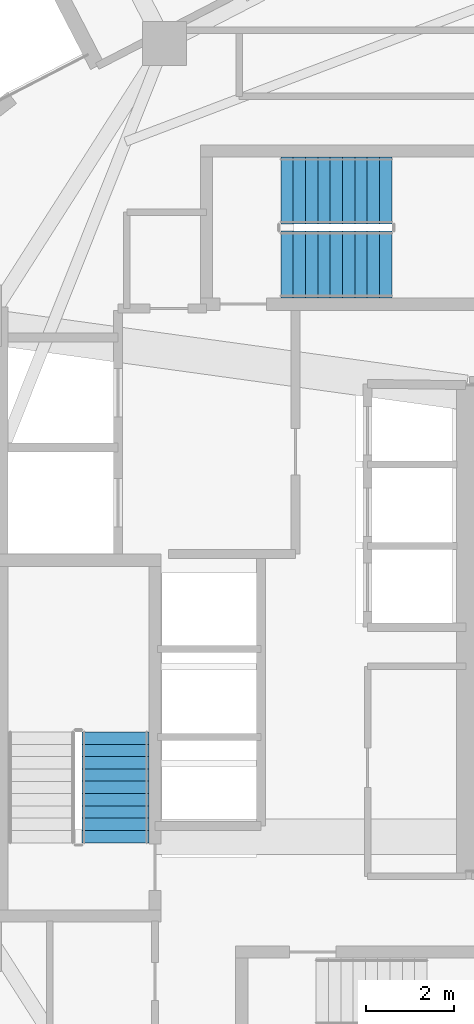
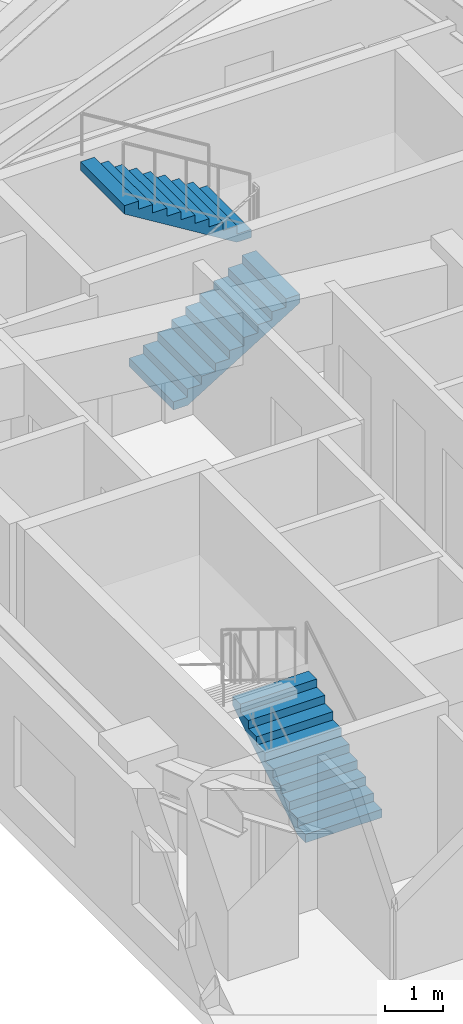
# One storey, part 10 of 11: 3 stair flights, 2 elements without a shape of their own.
"""IFC4 building model written with IfcOpenShell, lengths in metres."""

from ifc_helpers import new_model, si_unit, direction, frame, origin, place, context, subcontext, project, spatial, polyline, outline, extrude, material, type_object, element, aggregate, save


model = new_model("IFC4")

# Units and contexts
model_context = context("Model", 3, precision=1e-05, world=origin(), true_north=direction((0.0, 1.0)))
body_context = subcontext(model_context, "Body", "Model", "MODEL_VIEW")
ifc_project = project(units=[si_unit("LENGTHUNIT", "METRE"), si_unit("AREAUNIT", "SQUARE_METRE"), si_unit("VOLUMEUNIT", "CUBIC_METRE"), si_unit("PLANEANGLEUNIT", "RADIAN"), si_unit("MASSUNIT", "GRAM", prefix="KILO"), si_unit("THERMODYNAMICTEMPERATUREUNIT", "KELVIN"), si_unit("POWERUNIT", "WATT")], contexts=[model_context])

# Site, building, storey
site_placement = place(None, origin())
site = spatial("IfcSite", under=ifc_project, at=site_placement, CompositionType="ELEMENT")
building_placement = place(site_placement, origin())
building = spatial("IfcBuilding", under=site, at=building_placement, Name="Skarre Station Tower", CompositionType="ELEMENT")
storey_placement = place(building_placement, frame((0.0, 0.0, 146.39990234375)))
storey = spatial("IfcBuildingStorey", under=building, at=storey_placement, Name="L39", CompositionType="ELEMENT", Elevation=146.39990234375)

# Stair, stair flight
ifc_material = material(Name="Concrete C40/50", Category="concrete")
stair_type_1 = type_object("IfcStairType", Name="Reinforced Concrete Exit Stair ST-1", PredefinedType="HALF_TURN_STAIR", material=ifc_material)
stair_1_placement = place(storey_placement, origin())
stair_1 = element("IfcStair", 1, at=stair_1_placement, inside=storey, type_object=stair_type_1, Name="L39 Core Exit Stair ST-1", PredefinedType="HALF_TURN_STAIR")
stair_flight_type_1 = type_object("IfcStairFlightType", Name="Reinforced Concrete Stair Flight ST-1", PredefinedType="STRAIGHT", material=ifc_material)
stair_flight_1_placement = place(storey_placement, frame((19.590087890625, 19.1201171875, 0.0), z_axis=(0.0, 0.0, 1.0), x_axis=(0.0, 1.0, 0.0)))
stair_flight_1 = element("IfcStairFlight", 2, at=stair_flight_1_placement, type_object=stair_flight_type_1, Name="ST-1 flight 1", NumberOfRisers=10, NumberOfTreads=9, PredefinedType="STRAIGHT", RiserHeight=0.1725, TreadLength=0.28, context=body_context, shape_type="SweptSolid", body=[
    extrude(outline(polyline([(0.0, 0.0), (0.0, 0.172607421875), (0.280029296875, 0.172607421875), (0.280029296875, 0.344970703125), (0.56005859375, 0.344970703125), (0.56005859375, 0.517578125), (0.840087890625, 0.517578125), (0.840087890625, 0.68994140625), (1.1201171875, 0.68994140625), (1.1201171875, 0.862548828125), (1.39990234375, 0.862548828125), (1.39990234375, 1.034912109375), (1.679931640625, 1.034912109375), (1.679931640625, 1.20751953125), (1.9599609375, 1.20751953125), (1.9599609375, 1.3798828125), (2.239990234375, 1.3798828125), (2.239990234375, 1.552490234375), (2.52001953125, 1.552490234375), (2.52001953125, 1.72509765625), (2.52001953125, 1.37646484375), (0.285888671875, 0.0), (0.0, 0.0)])), frame((0.0, 0.760009765625, 0.0), z_axis=(0.0, -1.0, 0.0), x_axis=(1.0, 0.0, 0.0)), (0.0, 0.0, 1.0), 1.52001953125),
])
aggregate(stair_1, [stair_flight_1])

# Stair, stair flights
stair_type_2 = type_object("IfcStairType", Name="Reinforced Concrete Exit Stair ST-3", PredefinedType="HALF_TURN_STAIR", material=ifc_material)
stair_2_placement = place(storey_placement, origin())
stair_2 = element("IfcStair", 3, at=stair_2_placement, inside=storey, type_object=stair_type_2, Name="L39 Core Exit Stair ST-3", PredefinedType="HALF_TURN_STAIR")
stair_flight_type_2 = type_object("IfcStairFlightType", Name="Reinforced Concrete Stair Flight ST-3", PredefinedType="STRAIGHT", material=ifc_material)
stair_flight_2_placement = place(storey_placement, frame((23.35009765625, 32.260009765625, 0.0), z_axis=(0.0, 0.0, 1.0), x_axis=(1.0, 0.0, 0.0)))
stair_flight_2 = element("IfcStairFlight", 4, at=stair_flight_2_placement, type_object=stair_flight_type_2, Name="ST-3 flight 1", NumberOfRisers=10, NumberOfTreads=9, PredefinedType="STRAIGHT", RiserHeight=0.1725, TreadLength=0.28, context=body_context, shape_type="SweptSolid", body=[
    extrude(outline(polyline([(0.0, 0.0), (0.0, 0.172607421875), (0.280029296875, 0.172607421875), (0.280029296875, 0.344970703125), (0.56005859375, 0.344970703125), (0.56005859375, 0.517578125), (0.840087890625, 0.517578125), (0.840087890625, 0.68994140625), (1.1201171875, 0.68994140625), (1.1201171875, 0.862548828125), (1.39990234375, 0.862548828125), (1.39990234375, 1.034912109375), (1.679931640625, 1.034912109375), (1.679931640625, 1.20751953125), (1.9599609375, 1.20751953125), (1.9599609375, 1.3798828125), (2.239990234375, 1.3798828125), (2.239990234375, 1.552490234375), (2.52001953125, 1.552490234375), (2.52001953125, 1.72509765625), (2.52001953125, 1.37646484375), (0.285888671875, 0.0), (0.0, 0.0)])), frame((0.0, 0.760009765625, 0.0), z_axis=(0.0, -1.0, 0.0), x_axis=(1.0, 0.0, 0.0)), (0.0, 0.0, 1.0), 1.52001953125),
])
stair_flight_3_placement = place(storey_placement, frame((25.8701171875, 33.93994140625, 1.72509765625), z_axis=(0.0, 0.0, 1.0), x_axis=(-1.0, 0.0, 0.0)))
stair_flight_3 = element("IfcStairFlight", 5, at=stair_flight_3_placement, type_object=stair_flight_type_2, Name="ST-3 flight 2", NumberOfRisers=10, NumberOfTreads=9, PredefinedType="STRAIGHT", RiserHeight=0.1725, TreadLength=0.28, context=body_context, shape_type="SweptSolid", body=[
    extrude(outline(polyline([(0.0, 0.0), (0.0, 0.172607421875), (0.280029296875, 0.172607421875), (0.280029296875, 0.344970703125), (0.56005859375, 0.344970703125), (0.56005859375, 0.517578125), (0.840087890625, 0.517578125), (0.840087890625, 0.68994140625), (1.1201171875, 0.68994140625), (1.1201171875, 0.862548828125), (1.39990234375, 0.862548828125), (1.39990234375, 1.034912109375), (1.679931640625, 1.034912109375), (1.679931640625, 1.20751953125), (1.9599609375, 1.20751953125), (1.9599609375, 1.3798828125), (2.239990234375, 1.3798828125), (2.239990234375, 1.552490234375), (2.52001953125, 1.552490234375), (2.52001953125, 1.72509765625), (2.52001953125, 1.37646484375), (0.285888671875, 0.0), (0.0, 0.0)])), frame((0.0, 0.760009765625, 0.0), z_axis=(0.0, -1.0, 0.0), x_axis=(1.0, 0.0, 0.0)), (0.0, 0.0, 1.0), 1.52001953125),
])
aggregate(stair_2, [stair_flight_2, stair_flight_3])

save(model, "model.ifc")
